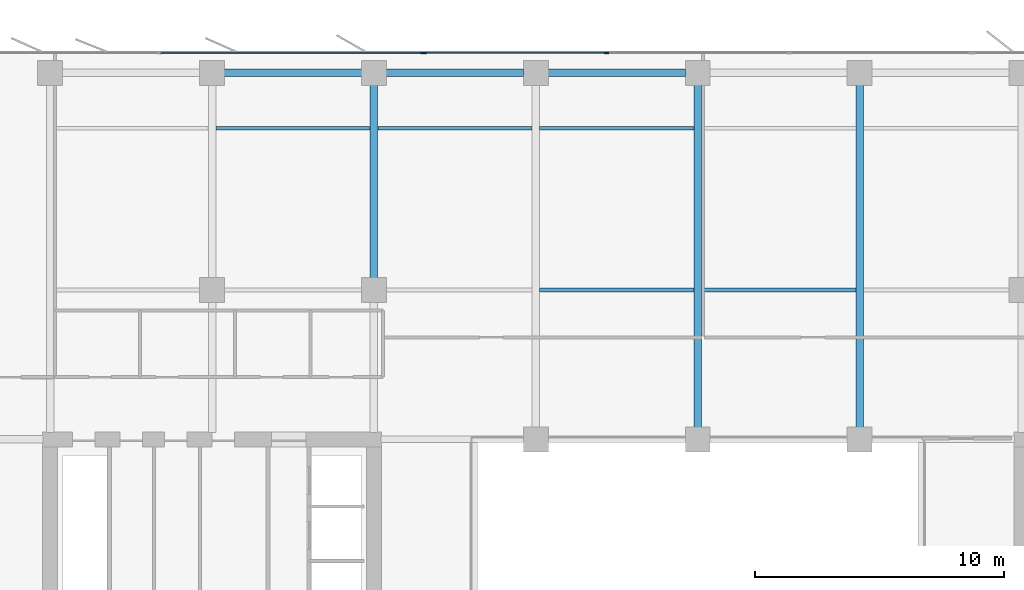
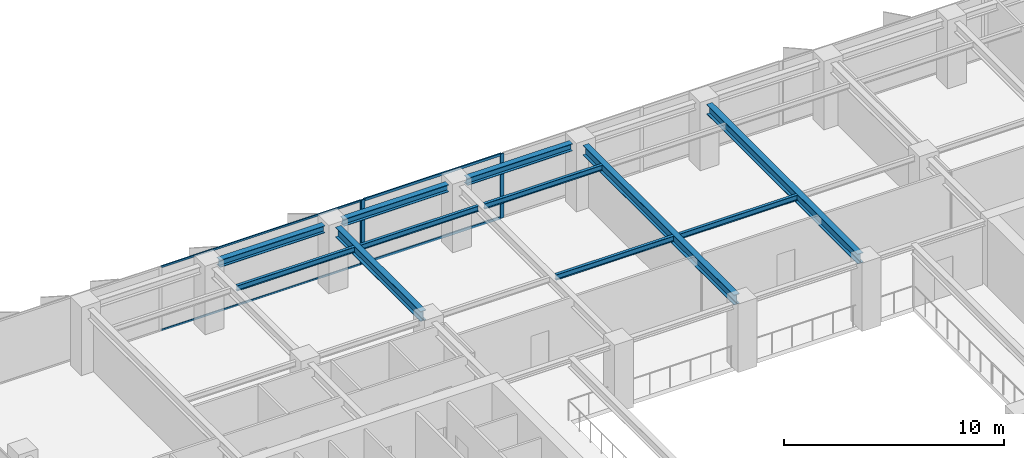
# One storey, part 9 of 22: 11 beams, 7 members, 2 elements without a shape of their own.
"""IFC4 building model written with IfcOpenShell, lengths in metres."""

from ifc_helpers import new_model, si_unit, direction, frame, origin, origin_2d, place, context, subcontext, project, spatial, rectangle, i_section, extrude, material, layer, layer_set, material_profile, profile_set, type_object, element, aggregate, save


model = new_model("IFC4")

# Units and contexts
model_context = context("Model", 3, precision=1e-05, world=origin(), true_north=direction((0.0, 1.0)))
body_context = subcontext(model_context, "Body", "Model", "MODEL_VIEW")
ifc_project = project(units=[si_unit("LENGTHUNIT", "METRE"), si_unit("AREAUNIT", "SQUARE_METRE"), si_unit("VOLUMEUNIT", "CUBIC_METRE"), si_unit("PLANEANGLEUNIT", "RADIAN"), si_unit("MASSUNIT", "GRAM", prefix="KILO")], contexts=[model_context])

# Site, building, storey
site_placement = place(None, origin())
site = spatial("IfcSite", under=ifc_project, at=site_placement, CompositionType="ELEMENT")
building_placement = place(site_placement, origin())
building = spatial("IfcBuilding", under=site, at=building_placement, Name="Putna Gate Headquarters", CompositionType="ELEMENT")
storey_placement = place(building_placement, frame((0.0, 0.0, 148.0)))
storey = spatial("IfcBuildingStorey", under=building, at=storey_placement, Name="L36", CompositionType="ELEMENT", Elevation=148.0)

# Beams
ifc_material_1 = material(Name="Steel S355J2", Category="steel")
ifc_material_profile_1 = material_profile(ifc_material_1, i_section(OverallWidth=0.300048828125, OverallDepth=0.550048828125, WebThickness=0.014892578125, FlangeThickness=0.029052734375, at=origin_2d()), Name="Steel S355J2")
ifc_profile_set_1 = profile_set([ifc_material_profile_1], Name="Steel S355J2")
beam_type_1 = type_object("IfcBeamType", Name="BM-GIRD-Z3-HEB550", PredefinedType="USERDEFINED", material=ifc_profile_set_1)
beam_placement = place(storey_placement, frame((26.0, 39.488037109375, 3.297119140625), z_axis=(0.0, 1.0, 0.0), x_axis=(-1.0, 0.0, 0.0)))
element("IfcBeam", 1, at=beam_placement, inside=storey, type_object=beam_type_1, Name="L36 North Primary Girder X26-2", ObjectType="GIRDER", PredefinedType="USERDEFINED", context=body_context, shape_type="SweptSolid", body=[
    extrude(i_section(OverallWidth=0.300048828125, OverallDepth=0.550048828125, WebThickness=0.014892578125, FlangeThickness=0.029052734375, at=origin_2d()), origin(), (0.0, 0.0, 1.0), 7.743896484375),
])
for number, where, z_axis, x_axis, name in (
    (2, (39.0, 33.488037109375, 3.297119140625), (0.0, 1.0, 0.0), (-1.0, 0.0, 0.0), "L36 North Primary Girder X39"),
    (3, (45.5, 33.488037109375, 3.297119140625), (0.0, 1.0, 0.0), (-1.0, 0.0, 0.0), "L36 North Primary Girder X45"),
):
    element("IfcBeam", number, at=place(storey_placement, frame(where, z_axis=z_axis, x_axis=x_axis)), inside=storey, type_object=beam_type_1, Name=name, ObjectType="GIRDER", PredefinedType="USERDEFINED", context=body_context, shape_type="SweptSolid", body=[
        extrude(i_section(OverallWidth=0.300048828125, OverallDepth=0.550048828125, WebThickness=0.014892578125, FlangeThickness=0.029052734375, at=origin_2d()), origin(), (0.0, 0.0, 1.0), 13.743896484375),
    ])
ifc_material_profile_2 = material_profile(ifc_material_1, i_section(OverallWidth=0.14990234375, OverallDepth=0.300048828125, WebThickness=0.007080078125, FlangeThickness=0.0107421875, at=origin_2d()), Name="Steel S355J2")
ifc_profile_set_2 = profile_set([ifc_material_profile_2], Name="Steel S355J2")
beam_type_2 = type_object("IfcBeamType", Name="BM-SEC-Z3-IPE300", PredefinedType="JOIST", material=ifc_profile_set_2)
for number, where, z_axis, x_axis, name in (
    (4, (19.654052734375, 45.5, 3.422119140625), (1.0, 0.0, 0.0), (0.0, 1.0, 0.0), "L36 North Secondary Beam 2"),
    (5, (26.154052734375, 45.5, 3.422119140625), (1.0, 0.0, 0.0), (0.0, 1.0, 0.0), "L36 North Secondary Beam 3"),
    (6, (32.654052734375, 39.0, 3.422119140625), (1.0, 0.0, 0.0), (0.0, 1.0, 0.0), "L36 North Secondary Beam 4"),
    (7, (32.654052734375, 45.5, 3.422119140625), (1.0, 0.0, 0.0), (0.0, 1.0, 0.0), "L36 North Secondary Beam 4"),
    (8, (39.154052734375, 39.0, 3.422119140625), (1.0, 0.0, 0.0), (0.0, 1.0, 0.0), "L36 North Secondary Beam 5"),
):
    element("IfcBeam", number, at=place(storey_placement, frame(where, z_axis=z_axis, x_axis=x_axis)), inside=storey, type_object=beam_type_2, Name=name, PredefinedType="JOIST", context=body_context, shape_type="SweptSolid", body=[
        extrude(i_section(OverallWidth=0.14990234375, OverallDepth=0.300048828125, WebThickness=0.007080078125, FlangeThickness=0.0107421875, at=origin_2d()), origin(), (0.0, 0.0, 1.0), 6.19189453125),
    ])
ifc_material_profile_3 = material_profile(ifc_material_1, i_section(OverallWidth=0.300048828125, OverallDepth=0.39990234375, WebThickness=0.013427734375, FlangeThickness=0.02392578125, at=origin_2d()), Name="Steel S355J2")
ifc_profile_set_3 = profile_set([ifc_material_profile_3], Name="Steel S355J2")
beam_type_3 = type_object("IfcBeamType", Name="BM-SPAN-Z3-HEB400", PredefinedType="SPANDREL", material=ifc_profile_set_3)
for number, where, z_axis, x_axis, name in (
    (9, (19.988037109375, 47.719970703125, 3.3720703125), (1.0, 0.0, 0.0), (0.0, 1.0, 0.0), "L36 N Perimeter Spandrel 2"),
    (10, (26.488037109375, 47.719970703125, 3.3720703125), (1.0, 0.0, 0.0), (0.0, 1.0, 0.0), "L36 N Perimeter Spandrel 3"),
    (11, (32.988037109375, 47.719970703125, 3.3720703125), (1.0, 0.0, 0.0), (0.0, 1.0, 0.0), "L36 N Perimeter Spandrel 4"),
):
    element("IfcBeam", number, at=place(storey_placement, frame(where, z_axis=z_axis, x_axis=x_axis)), inside=storey, type_object=beam_type_3, Name=name, PredefinedType="SPANDREL", context=body_context, shape_type="SweptSolid", body=[
        extrude(i_section(OverallWidth=0.300048828125, OverallDepth=0.39990234375, WebThickness=0.013427734375, FlangeThickness=0.02392578125, at=origin_2d()), origin(), (0.0, 0.0, 1.0), 5.52392578125),
    ])

# Curtain wall, member
ifc_material_2 = material(Name="Anodised bronze aluminium curtain wall", Category="aluminium")
ifc_layer_1 = layer(ifc_material_2, 0.159912109375)
ifc_layer_set_1 = layer_set([ifc_layer_1], Name="Anodised bronze aluminium curtain wall")
curtain_wall_type_1 = type_object("IfcCurtainWallType", Name="CW-SYS-Z3", PredefinedType="USERDEFINED", material=ifc_layer_set_1)
curtain_wall_1_placement = place(storey_placement, origin())
curtain_wall_1 = element("IfcCurtainWall", 12, at=curtain_wall_1_placement, inside=storey, type_object=curtain_wall_type_1, Name="L36 North West Curtain Wall", ObjectType="STICK CURTAIN WALL", PredefinedType="USERDEFINED")
ifc_material_3 = material(Name="Anodised bronze aluminium EN AW-6060", Category="aluminium")
ifc_material_profile_4 = material_profile(ifc_material_3, rectangle(XDim=0.06494140625, YDim=0.159912109375, at=origin_2d()), Name="Anodised bronze aluminium EN AW-6060")
ifc_profile_set_4 = profile_set([ifc_material_profile_4], Name="Anodised bronze aluminium EN AW-6060")
member_type_1 = type_object("IfcMemberType", Name="MULL-CWM-3", PredefinedType="MULLION", material=ifc_profile_set_4)
member_1_placement = place(storey_placement, frame((27.967529296875, 48.52001953125, 0.0), z_axis=(0.0, 0.0, 1.0), x_axis=(0.0, 1.0, 0.0)))
member_1 = element("IfcMember", 13, at=member_1_placement, type_object=member_type_1, Name="CWS-3 mullion 3", PredefinedType="MULLION", context=body_context, shape_type="SweptSolid", body=[
    extrude(rectangle(XDim=0.06494140625, YDim=0.159912109375, at=origin_2d()), origin(), (0.0, 0.0, 1.0), 3.572021484375),
])

# Curtain wall, members
ifc_layer_2 = layer(ifc_material_2, 0.179931640625)
ifc_layer_set_2 = layer_set([ifc_layer_2], Name="Anodised bronze aluminium curtain wall")
curtain_wall_type_2 = type_object("IfcCurtainWallType", Name="CW-SYS-ATR", PredefinedType="USERDEFINED", material=ifc_layer_set_2)
curtain_wall_2_placement = place(storey_placement, origin())
curtain_wall_2 = element("IfcCurtainWall", 14, at=curtain_wall_2_placement, inside=storey, type_object=curtain_wall_type_2, Name="L36 North Atrium Clear Glazing", ObjectType="ATRIUM GLAZING", PredefinedType="USERDEFINED")
ifc_material_profile_5 = material_profile(ifc_material_3, rectangle(XDim=0.070068359375, YDim=0.179931640625, at=origin_2d()), Name="Anodised bronze aluminium EN AW-6060")
ifc_profile_set_5 = profile_set([ifc_material_profile_5], Name="Anodised bronze aluminium EN AW-6060")
member_type_2 = type_object("IfcMemberType", Name="MULL-CWM-AT", PredefinedType="MULLION", material=ifc_profile_set_5)
member_2_placement = place(storey_placement, frame((28.034912109375, 48.52001953125, 0.0), z_axis=(0.0, 0.0, 1.0), x_axis=(0.0, 1.0, 0.0)))
member_2 = element("IfcMember", 15, at=member_2_placement, type_object=member_type_2, Name="CWS-AT mullion 1", PredefinedType="MULLION", context=body_context, shape_type="SweptSolid", body=[
    extrude(rectangle(XDim=0.070068359375, YDim=0.179931640625, at=origin_2d()), origin(), (0.0, 0.0, 1.0), 3.572021484375),
])
member_3_placement = place(storey_placement, frame((35.333251953125, 48.52001953125, 0.0), z_axis=(0.0, 0.0, 1.0), x_axis=(0.0, 1.0, 0.0)))
member_3 = element("IfcMember", 16, at=member_3_placement, type_object=member_type_2, Name="CWS-AT mullion 2", PredefinedType="MULLION", context=body_context, shape_type="SweptSolid", body=[
    extrude(rectangle(XDim=0.070068359375, YDim=0.179931640625, at=origin_2d()), origin(), (0.0, 0.0, 1.0), 3.572021484375),
])

# Member
ifc_material_profile_6 = material_profile(ifc_material_3, rectangle(XDim=0.06005859375, YDim=0.10009765625, at=origin_2d()), Name="Anodised bronze aluminium EN AW-6060")
ifc_profile_set_6 = profile_set([ifc_material_profile_6], Name="Anodised bronze aluminium EN AW-6060")
member_type_3 = type_object("IfcMemberType", Name="TRAN-CWT-3", PredefinedType="USERDEFINED", material=ifc_profile_set_6)
member_4_placement = place(storey_placement, frame((17.4326171875, 48.52001953125, 0.030029296875), z_axis=(1.0, 0.0, 0.0), x_axis=(0.0, 1.0, 0.0)))
member_4 = element("IfcMember", 17, at=member_4_placement, type_object=member_type_3, Name="CWS-3 transom 2.1", ObjectType="TRANSOM", PredefinedType="USERDEFINED", context=body_context, shape_type="SweptSolid", body=[
    extrude(rectangle(XDim=0.06005859375, YDim=0.10009765625, at=origin_2d()), origin(), (0.0, 0.0, 1.0), 10.50244140625),
])

member_5_placement = place(storey_placement, frame((17.4326171875, 48.52001953125, 3.5419921875), z_axis=(1.0, 0.0, 0.0), x_axis=(0.0, 1.0, 0.0)))
member_5 = element("IfcMember", 18, at=member_5_placement, type_object=member_type_3, Name="CWS-3 transom 2.2", ObjectType="TRANSOM", PredefinedType="USERDEFINED", context=body_context, shape_type="SweptSolid", body=[
    extrude(rectangle(XDim=0.06005859375, YDim=0.10009765625, at=origin_2d()), origin(), (0.0, 0.0, 1.0), 10.50244140625),
])

aggregate(curtain_wall_1, [member_1, member_4, member_5])

ifc_material_profile_7 = material_profile(ifc_material_3, rectangle(XDim=0.070068359375, YDim=0.139892578125, at=origin_2d()), Name="Anodised bronze aluminium EN AW-6060")
ifc_profile_set_7 = profile_set([ifc_material_profile_7], Name="Anodised bronze aluminium EN AW-6060")
member_type_4 = type_object("IfcMemberType", Name="TRAN-CWT-AT", PredefinedType="USERDEFINED", material=ifc_profile_set_7)
member_6_placement = place(storey_placement, frame((28.070068359375, 48.52001953125, 0.034912109375), z_axis=(1.0, 0.0, 0.0), x_axis=(0.0, 1.0, 0.0)))
member_6 = element("IfcMember", 19, at=member_6_placement, type_object=member_type_4, Name="CWS-AT transom 1.1", ObjectType="TRANSOM", PredefinedType="USERDEFINED", context=body_context, shape_type="SweptSolid", body=[
    extrude(rectangle(XDim=0.070068359375, YDim=0.139892578125, at=origin_2d()), origin(), (0.0, 0.0, 1.0), 7.228271484375),
])

member_7_placement = place(storey_placement, frame((28.070068359375, 48.52001953125, 3.537109375), z_axis=(1.0, 0.0, 0.0), x_axis=(0.0, 1.0, 0.0)))
member_7 = element("IfcMember", 20, at=member_7_placement, type_object=member_type_4, Name="CWS-AT transom 1.2", ObjectType="TRANSOM", PredefinedType="USERDEFINED", context=body_context, shape_type="SweptSolid", body=[
    extrude(rectangle(XDim=0.070068359375, YDim=0.139892578125, at=origin_2d()), origin(), (0.0, 0.0, 1.0), 7.228271484375),
])

aggregate(curtain_wall_2, [member_2, member_3, member_6, member_7])

save(model, "model.ifc")
